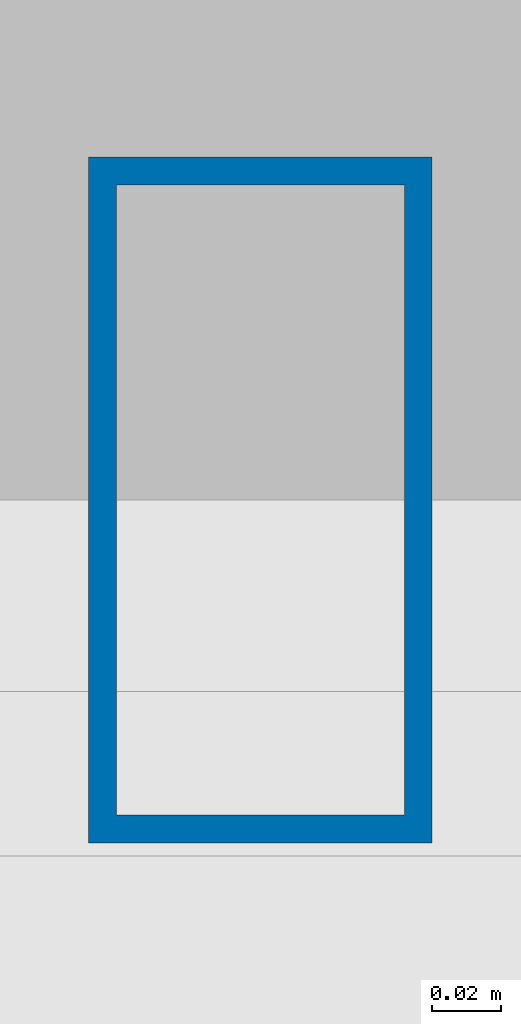
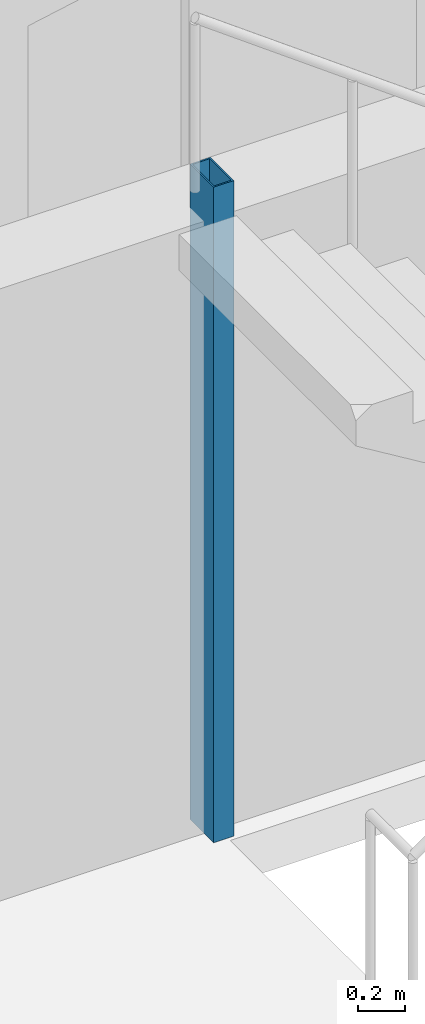
# One storey, part 2 of 20: 1 column.
"""IFC4 building model written with IfcOpenShell, lengths in metres."""

from ifc_helpers import new_model, si_unit, direction, frame, origin, origin_2d, place, context, subcontext, project, spatial, hollow_rectangle, extrude, material, material_profile, profile_set, type_object, element, save


model = new_model("IFC4")

# Units and contexts
model_context = context("Model", 3, precision=1e-05, world=origin(), true_north=direction((0.0, 1.0)))
body_context = subcontext(model_context, "Body", "Model", "MODEL_VIEW")
ifc_project = project(units=[si_unit("LENGTHUNIT", "METRE"), si_unit("AREAUNIT", "SQUARE_METRE"), si_unit("VOLUMEUNIT", "CUBIC_METRE"), si_unit("PLANEANGLEUNIT", "RADIAN"), si_unit("MASSUNIT", "GRAM", prefix="KILO")], contexts=[model_context])

# Site, building, storey
site_placement = place(None, origin())
site = spatial("IfcSite", under=ifc_project, at=site_placement, CompositionType="ELEMENT")
building_placement = place(site_placement, origin())
building = spatial("IfcBuilding", under=site, at=building_placement, Name="Menara Jurai Vektor", CompositionType="ELEMENT")
storey_placement = place(building_placement, frame((0.0, 0.0, 178.60009765625)))
storey = spatial("IfcBuildingStorey", under=building, at=storey_placement, Name="L46", CompositionType="ELEMENT", Elevation=178.60009765625)

# Column
ifc_material = material(Name="Steel S355", Category="steel")
ifc_material_profile = material_profile(ifc_material, hollow_rectangle(XDim=0.10009765625, YDim=0.199951171875, WallThickness=0.008056640625, at=origin_2d()), Name="RHS 200x100x8")
ifc_profile_set = profile_set([ifc_material_profile], Name="Steel S355")
column_type = type_object("IfcColumnType", Name="STR-COL-STAIR", PredefinedType="COLUMN", material=ifc_profile_set)
column_placement = place(storey_placement, frame((-11.1201171875, 5.419921875, 0.0), z_axis=(0.0, 0.0, 1.0), x_axis=(1.0, 0.0, 0.0)))
element("IfcColumn", 1, at=column_placement, inside=storey, type_object=column_type, Name="Stair Well Header Column ST1-P2 L46", PredefinedType="COLUMN", context=body_context, shape_type="SweptSolid", body=[
    extrude(hollow_rectangle(XDim=0.10009765625, YDim=0.199951171875, WallThickness=0.008056640625, at=origin_2d()), origin(), (0.0, 0.0, 1.0), 3.39990234375),
])

save(model, "model.ifc")
